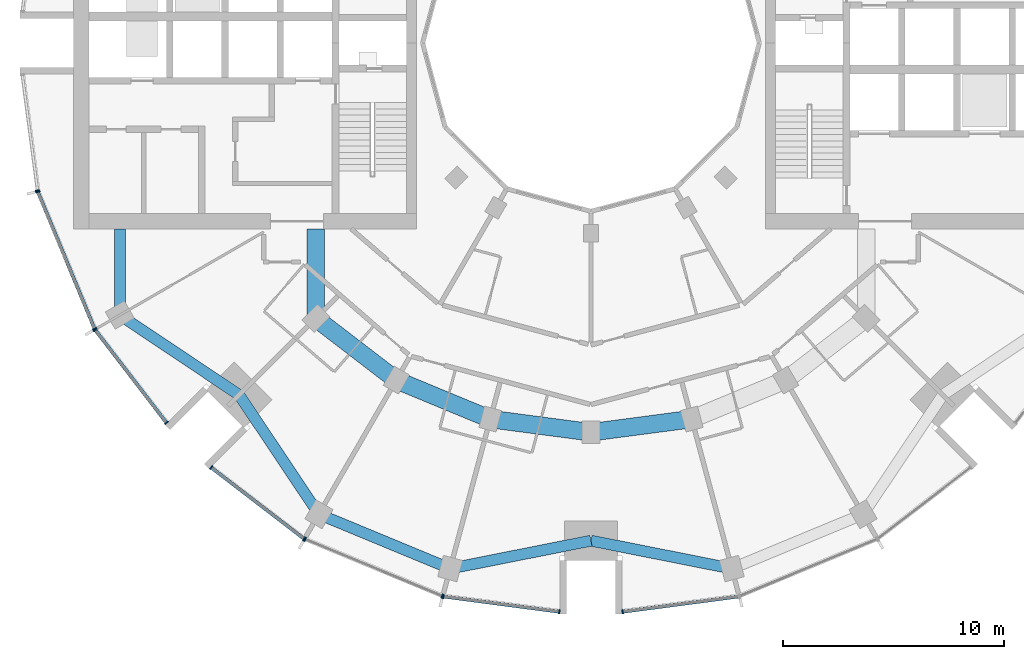
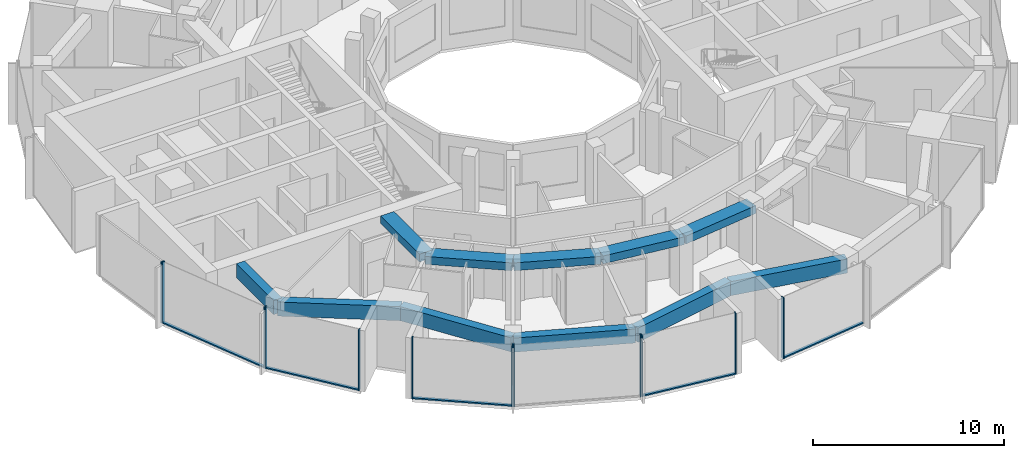
# One storey, part 2 of 15: 17 members, 11 beams, 7 elements without a shape of their own.
"""IFC4 building model written with IfcOpenShell, lengths in metres."""

import ifcopenshell
import ifcopenshell.guid

model = None  # the IFC model being written
_history = None  # IfcOwnerHistory: only IFC2X3 demands one
_inside = {}  # id of a spatial element -> (the spatial element, [elements in it])
_under = {}  # id of a project, library or spatial element -> (it, [spatial elements below it])
_declared = {}  # id of a project -> (the project, [libraries it declares])
_typed = {}  # id of a type object -> (the type object, [elements of that type])
_made_of = {}  # id of a material, layer set ... -> (it, [elements and type objects made of it])


def new_model(schema):
    """Start an empty IFC model of exactly this schema.

    Asked for "IFC4X3", IfcOpenShell would pick the latest addendum, in which some entities
    have other attributes; the version numbers below select the first issue.
    IFC2X3 requires an IfcOwnerHistory on every rooted entity: one is made here for all.
    """
    global model, _history
    if schema == "IFC4X3":
        model = ifcopenshell.file(schema_version=(4, 3, 0, 0))
    else:
        model = ifcopenshell.file(schema=schema)
    _inside.clear()
    _under.clear()
    _declared.clear()
    _typed.clear()
    _made_of.clear()
    _history = None
    if model.schema == "IFC2X3":
        org = make("IfcOrganization", Name="unknown")
        user = make(
            "IfcPersonAndOrganization",
            ThePerson=make("IfcPerson", FamilyName="unknown"),
            TheOrganization=org,
        )
        app = make(
            "IfcApplication",
            ApplicationDeveloper=org,
            Version="unknown",
            ApplicationFullName="unknown",
            ApplicationIdentifier="unknown",
        )
        _history = make(
            "IfcOwnerHistory",
            OwningUser=user,
            OwningApplication=app,
            ChangeAction="ADDED",
            CreationDate=0,
        )
    return model


def make(cls, **values):
    """One entity of the class cls with the attributes given. An attribute that is None is left unset."""
    return model.create_entity(
        cls, **{name: value for name, value in values.items() if value is not None}
    )


def rooted(cls, **values):
    """An entity with a GlobalId (a new one), such as an element, a storey or a relation."""
    return make(cls, GlobalId=ifcopenshell.guid.new(), OwnerHistory=_history, **values)


def si_unit(unit_type, name, prefix=None):
    """IfcSIUnit, for example si_unit("LENGTHUNIT", "METRE", prefix="MILLI")."""
    return make("IfcSIUnit", UnitType=unit_type, Prefix=prefix, Name=name)


def assignment(units):
    """IfcUnitAssignment: the units of a project."""
    return None if units is None else make("IfcUnitAssignment", Units=units)


def point(xyz):
    """IfcCartesianPoint."""
    return None if xyz is None else make("IfcCartesianPoint", Coordinates=xyz)


def direction(xyz):
    """IfcDirection."""
    return None if xyz is None else make("IfcDirection", DirectionRatios=xyz)


def frame(location, z_axis=None, x_axis=None):
    """IfcAxis2Placement3D, a coordinate frame: its origin and axes. An axis left out is left unset."""
    return make(
        "IfcAxis2Placement3D",
        Location=point(location),
        Axis=direction(z_axis),
        RefDirection=direction(x_axis),
    )


def frame_2d(location, x_axis=None):
    """IfcAxis2Placement2D, a coordinate frame in the plane: its origin and x axis."""
    return make(
        "IfcAxis2Placement2D", Location=point(location), RefDirection=direction(x_axis)
    )


def origin():
    """The frame at (0, 0, 0) with its axes left unset."""
    return frame((0.0, 0.0, 0.0))


def origin_2d():
    """The frame at (0, 0) in the plane with its x axis left unset."""
    return frame_2d((0.0, 0.0))


def place(relative_to, where):
    """IfcLocalPlacement: puts the frame where relative to a parent placement (None: the world)."""
    return make(
        "IfcLocalPlacement", PlacementRelTo=relative_to, RelativePlacement=where
    )


def context(
    kind, dimensions, precision=None, world=None, true_north=None, identifier=None
):
    """IfcGeometricRepresentationContext, for example the 3D "Model" context."""
    return make(
        "IfcGeometricRepresentationContext",
        ContextIdentifier=identifier,
        ContextType=kind,
        CoordinateSpaceDimension=dimensions,
        Precision=precision,
        WorldCoordinateSystem=world,
        TrueNorth=true_north,
    )


def subcontext(parent, identifier, kind, view, scale=None):
    """IfcGeometricRepresentationSubContext, for example "Body" below "Model"."""
    return make(
        "IfcGeometricRepresentationSubContext",
        ContextIdentifier=identifier,
        ContextType=kind,
        ParentContext=parent,
        TargetScale=scale,
        TargetView=view,
    )


def project(units=None, contexts=None):
    """IfcProject with its units and contexts."""
    return rooted(
        "IfcProject",
        Name="project",
        RepresentationContexts=contexts,
        UnitsInContext=assignment(units),
    )


def spatial(cls, under=None, at=None, **own):
    """A site, building, storey or space (cls), placed at a placement, below another one or the project."""
    s = rooted(cls, ObjectPlacement=at, **own)
    if under is not None:
        _under.setdefault(under.id(), (under, []))[1].append(s)
    return s


def profile(cls, at=None, kind="AREA", **sizes):
    """A parametric profile (cls). Its sizes go by their IFC names, for example OverallWidth=200.0."""
    return make(cls, ProfileType=kind, Position=at, **sizes)


def rectangle(**sizes):
    """IfcRectangleProfileDef."""
    return profile("IfcRectangleProfileDef", **sizes)


def extrude(swept, where, along, depth):
    """IfcExtrudedAreaSolid: the profile swept, set in the frame where, extruded along a direction by depth."""
    return make(
        "IfcExtrudedAreaSolid",
        SweptArea=swept,
        Position=where,
        ExtrudedDirection=direction(along),
        Depth=depth,
    )


def shape(context_of_items, identifier, shape_type, items):
    """IfcShapeRepresentation: the items that make up one representation, for example the "Body"."""
    return make(
        "IfcShapeRepresentation",
        ContextOfItems=context_of_items,
        RepresentationIdentifier=identifier,
        RepresentationType=shape_type,
        Items=items,
    )


def material(Name=None, Category=None):
    """IfcMaterial."""
    return make("IfcMaterial", Name=Name, Category=Category)


def layer(
    of_material, thickness, ventilated=None, Name=None, Category=None, Priority=None
):
    """IfcMaterialLayer: one layer of a wall or slab, of a material (None: an air gap)."""
    return make(
        "IfcMaterialLayer",
        Material=of_material,
        LayerThickness=thickness,
        IsVentilated=ventilated,
        Name=Name,
        Category=Category,
        Priority=Priority,
    )


def layer_set(layers, Name=None):
    """IfcMaterialLayerSet."""
    return make("IfcMaterialLayerSet", MaterialLayers=layers, LayerSetName=Name)


def material_profile(
    of_material, cross_section, Name=None, Category=None, Priority=None
):
    """IfcMaterialProfile: a cross section and its material."""
    return make(
        "IfcMaterialProfile",
        Name=Name,
        Material=of_material,
        Profile=cross_section,
        Priority=Priority,
        Category=Category,
    )


def profile_set(profiles, Name=None, composite=None):
    """IfcMaterialProfileSet."""
    return make(
        "IfcMaterialProfileSet",
        Name=Name,
        MaterialProfiles=profiles,
        CompositeProfile=composite,
    )


def made_of(thing, what):
    """Note that an element or type object is made of a material, layer set ...; save() writes the relation."""
    if what is not None:
        _made_of.setdefault(what.id(), (what, []))[1].append(thing)
    return thing


def type_object(cls, material=None, **own):
    """A type object (cls), such as IfcWallType, which elements share."""
    return made_of(rooted(cls, **own), material)


def element(
    cls,
    number,
    at=None,
    inside=None,
    cuts=None,
    type_object=None,
    material=None,
    context=None,
    identifier="Body",
    shape_type=None,
    held_by="IfcProductDefinitionShape",
    body=None,
    shapes=None,
    **own,
):
    """One element of the class cls, such as IfcWall. Its Tag is "e" and its number.

    at: its placement. inside: the storey or other place that contains it. cuts: it is an
    opening in that element (IfcRelVoidsElement). A single representation is given by context,
    identifier, shape_type and body (its items); several are given by shapes. held_by: the class
    of the entity that holds the representations. save() writes the other relations.
    """
    e = rooted(cls, Tag="e%d" % number, ObjectPlacement=at, **own)
    if body is not None:
        shapes = [shape(context, identifier, shape_type, body)]
    if shapes is not None:
        e.Representation = make(held_by, Representations=shapes)
    if inside is not None:
        _inside.setdefault(inside.id(), (inside, []))[1].append(e)
    if cuts is not None:
        rooted(
            "IfcRelVoidsElement", RelatingBuildingElement=cuts, RelatedOpeningElement=e
        )
    if type_object is not None:
        _typed.setdefault(type_object.id(), (type_object, []))[1].append(e)
    return made_of(e, material)


def aggregate(whole, parts):
    """IfcRelAggregates: a whole, such as a stair, and the parts it consists of."""
    return rooted("IfcRelAggregates", RelatingObject=whole, RelatedObjects=parts)


def save(model, path):
    """Write the relations noted so far, then the file.

    IfcRelAggregates (storeys below a building ...), IfcRelContainedInSpatialStructure (elements
    in a storey), IfcRelDefinesByType, IfcRelAssociatesMaterial and IfcRelDeclares: one each for
    every whole, place, type object, material and project.
    """
    for whole, parts in _under.values():
        aggregate(whole, parts)
    for where, things in _inside.values():
        rooted(
            "IfcRelContainedInSpatialStructure",
            RelatedElements=things,
            RelatingStructure=where,
        )
    for kind, things in _typed.values():
        rooted("IfcRelDefinesByType", RelatedObjects=things, RelatingType=kind)
    for what, things in _made_of.values():
        rooted("IfcRelAssociatesMaterial", RelatedObjects=things, RelatingMaterial=what)
    for by, libraries in _declared.values():
        rooted("IfcRelDeclares", RelatingContext=by, RelatedDefinitions=libraries)
    model.write(path)


model = new_model("IFC4")

# Units and contexts
model_context = context("Model", 3, precision=1e-05, world=origin(), true_north=direction((0.0, 1.0)))
body_context = subcontext(model_context, "Body", "Model", "MODEL_VIEW")
ifc_project = project(units=[si_unit("LENGTHUNIT", "METRE"), si_unit("AREAUNIT", "SQUARE_METRE"), si_unit("VOLUMEUNIT", "CUBIC_METRE"), si_unit("PLANEANGLEUNIT", "RADIAN"), si_unit("MASSUNIT", "GRAM", prefix="KILO")], contexts=[model_context])

# Site, building, storey
site_placement = place(None, origin())
site = spatial("IfcSite", under=ifc_project, at=site_placement, CompositionType="ELEMENT")
building_placement = place(site_placement, origin())
building = spatial("IfcBuilding", under=site, at=building_placement, Name="Torre Brocal", CompositionType="ELEMENT")
storey_placement = place(building_placement, frame((0.0, 0.0, 118.5)))
storey = spatial("IfcBuildingStorey", under=building, at=storey_placement, Name="L27", CompositionType="ELEMENT", Elevation=118.5)

# Curtain wall, members
ifc_material_1 = material(Name="Aluminium and glass", Category="aluminium")
ifc_layer_1 = layer(ifc_material_1, 0.199951171875)
ifc_layer_set_1 = layer_set([ifc_layer_1], Name="Aluminium and glass")
curtain_wall_type_1 = type_object("IfcCurtainWallType", Name="CW-1 CURTAIN WALL 3900 HIGH", PredefinedType="NOTDEFINED", material=ifc_layer_set_1)
curtain_wall_1_placement = place(storey_placement, origin())
curtain_wall_1 = element("IfcCurtainWall", 1, at=curtain_wall_1_placement, inside=storey, type_object=curtain_wall_type_1, Name="CW-1 RUN 14", PredefinedType="NOTDEFINED")
ifc_material_2 = material(Name="Aluminium, dark anodised", Category="aluminium")
ifc_material_profile_1 = material_profile(ifc_material_2, rectangle(XDim=0.199951171875, YDim=0.06005859375, at=origin_2d()), Name="CW-1 MULLION 60X200")
ifc_profile_set_1 = profile_set([ifc_material_profile_1], Name="Aluminium, dark anodised")
member_type_1 = type_object("IfcMemberType", Name="CW-1 MULLION 60X200", PredefinedType="MULLION", material=ifc_profile_set_1)
member_1_placement = place(storey_placement, frame((54.994873046875, 68.26904296875, 0.0), z_axis=(0.0, 0.0, 1.0), x_axis=(0.923879532525, 0.382683432333, 0.0)))
member_1 = element("IfcMember", 2, at=member_1_placement, type_object=member_type_1, Name="CW1-3 mullion 1", PredefinedType="MULLION", context=body_context, shape_type="SweptSolid", body=[
    extrude(rectangle(XDim=0.199951171875, YDim=0.06005859375, at=origin_2d()), origin(), (0.0, 0.0, 1.0), 3.89990234375),
])
member_2_placement = place(storey_placement, frame((57.559326171875, 62.078125, 0.0), z_axis=(0.0, 0.0, 1.0), x_axis=(0.923879532525, 0.382683432333, 0.0)))
member_2 = element("IfcMember", 3, at=member_2_placement, type_object=member_type_1, Name="CW1-3 mullion 2", PredefinedType="MULLION", context=body_context, shape_type="SweptSolid", body=[
    extrude(rectangle(XDim=0.199951171875, YDim=0.06005859375, at=origin_2d()), origin(), (0.0, 0.0, 1.0), 3.89990234375),
])

curtain_wall_2_placement = place(storey_placement, origin())
curtain_wall_2 = element("IfcCurtainWall", 4, at=curtain_wall_2_placement, inside=storey, type_object=curtain_wall_type_1, Name="CW-1 RUN 15", PredefinedType="NOTDEFINED")
member_3_placement = place(storey_placement, frame((57.5888671875, 62.026611328125, 0.0), z_axis=(0.0, 0.0, 1.0), x_axis=(0.793353340259, 0.60876142905, 0.0)))
member_3 = element("IfcMember", 5, at=member_3_placement, type_object=member_type_1, Name="CW1-3 mullion 1", PredefinedType="MULLION", context=body_context, shape_type="SweptSolid", body=[
    extrude(rectangle(XDim=0.199951171875, YDim=0.06005859375, at=origin_2d()), origin(), (0.0, 0.0, 1.0), 3.89990234375),
])
member_4_placement = place(storey_placement, frame((60.80859375, 57.83056640625, 0.0), z_axis=(0.0, 0.0, 1.0), x_axis=(0.793353340259, 0.60876142905, 0.0)))
member_4 = element("IfcMember", 6, at=member_4_placement, type_object=member_type_1, Name="CW1-3 mullion 2", PredefinedType="MULLION", context=body_context, shape_type="SweptSolid", body=[
    extrude(rectangle(XDim=0.199951171875, YDim=0.06005859375, at=origin_2d()), origin(), (0.0, 0.0, 1.0), 3.89990234375),
])

curtain_wall_3_placement = place(storey_placement, origin())
curtain_wall_3 = element("IfcCurtainWall", 7, at=curtain_wall_3_placement, inside=storey, type_object=curtain_wall_type_1, Name="CW-1 RUN 16", PredefinedType="NOTDEFINED")
member_5_placement = place(storey_placement, frame((62.83056640625, 55.80859375, 0.0), z_axis=(0.0, 0.0, 1.0), x_axis=(0.60876142905, 0.793353340259, 0.0)))
member_5 = element("IfcMember", 8, at=member_5_placement, type_object=member_type_1, Name="CW1-3 mullion 1", PredefinedType="MULLION", context=body_context, shape_type="SweptSolid", body=[
    extrude(rectangle(XDim=0.199951171875, YDim=0.06005859375, at=origin_2d()), origin(), (0.0, 0.0, 1.0), 3.89990234375),
])
member_6_placement = place(storey_placement, frame((67.026611328125, 52.5888671875, 0.0), z_axis=(0.0, 0.0, 1.0), x_axis=(0.60876142905, 0.793353340259, 0.0)))
member_6 = element("IfcMember", 9, at=member_6_placement, type_object=member_type_1, Name="CW1-3 mullion 2", PredefinedType="MULLION", context=body_context, shape_type="SweptSolid", body=[
    extrude(rectangle(XDim=0.199951171875, YDim=0.06005859375, at=origin_2d()), origin(), (0.0, 0.0, 1.0), 3.89990234375),
])

curtain_wall_4_placement = place(storey_placement, origin())
curtain_wall_4 = element("IfcCurtainWall", 10, at=curtain_wall_4_placement, inside=storey, type_object=curtain_wall_type_1, Name="CW-1 RUN 17", PredefinedType="NOTDEFINED")
member_7_placement = place(storey_placement, frame((67.078125, 52.559326171875, 0.0), z_axis=(0.0, 0.0, 1.0), x_axis=(0.382683432333, 0.923879532525, 0.0)))
member_7 = element("IfcMember", 11, at=member_7_placement, type_object=member_type_1, Name="CW1-3 mullion 1", PredefinedType="MULLION", context=body_context, shape_type="SweptSolid", body=[
    extrude(rectangle(XDim=0.199951171875, YDim=0.06005859375, at=origin_2d()), origin(), (0.0, 0.0, 1.0), 3.89990234375),
])
member_8_placement = place(storey_placement, frame((73.26904296875, 49.994873046875, 0.0), z_axis=(0.0, 0.0, 1.0), x_axis=(0.382683432333, 0.923879532525, 0.0)))
member_8 = element("IfcMember", 12, at=member_8_placement, type_object=member_type_1, Name="CW1-3 mullion 2", PredefinedType="MULLION", context=body_context, shape_type="SweptSolid", body=[
    extrude(rectangle(XDim=0.199951171875, YDim=0.06005859375, at=origin_2d()), origin(), (0.0, 0.0, 1.0), 3.89990234375),
])
aggregate(curtain_wall_4, [member_7, member_8])

curtain_wall_5_placement = place(storey_placement, origin())
curtain_wall_5 = element("IfcCurtainWall", 13, at=curtain_wall_5_placement, inside=storey, type_object=curtain_wall_type_1, Name="CW-1 RUN 18", PredefinedType="NOTDEFINED")
member_9_placement = place(storey_placement, frame((73.32666015625, 49.9794921875, 0.0), z_axis=(0.0, 0.0, 1.0), x_axis=(0.13052619222, 0.991444861374, 0.0)))
member_9 = element("IfcMember", 14, at=member_9_placement, type_object=member_type_1, Name="CW1-3 mullion 1", PredefinedType="MULLION", context=body_context, shape_type="SweptSolid", body=[
    extrude(rectangle(XDim=0.199951171875, YDim=0.06005859375, at=origin_2d()), origin(), (0.0, 0.0, 1.0), 3.89990234375),
])
member_10_placement = place(storey_placement, frame((78.5703125, 49.2890625, 0.0), z_axis=(0.0, 0.0, 1.0), x_axis=(0.13052619222, 0.991444861374, 0.0)))
member_10 = element("IfcMember", 15, at=member_10_placement, type_object=member_type_1, Name="CW1-3 mullion 2", PredefinedType="MULLION", context=body_context, shape_type="SweptSolid", body=[
    extrude(rectangle(XDim=0.199951171875, YDim=0.06005859375, at=origin_2d()), origin(), (0.0, 0.0, 1.0), 3.89990234375),
])

# Curtain wall, member
curtain_wall_6_placement = place(storey_placement, origin())
curtain_wall_6 = element("IfcCurtainWall", 16, at=curtain_wall_6_placement, inside=storey, type_object=curtain_wall_type_1, Name="CW-1 RUN 19", PredefinedType="NOTDEFINED")
member_11_placement = place(storey_placement, frame((81.4296875, 49.2890625, 0.0), z_axis=(0.0, 0.0, 1.0), x_axis=(-0.13052619222, 0.991444861374, 0.0)))
member_11 = element("IfcMember", 17, at=member_11_placement, type_object=member_type_1, Name="CW1-3 mullion 1", PredefinedType="MULLION", context=body_context, shape_type="SweptSolid", body=[
    extrude(rectangle(XDim=0.199951171875, YDim=0.06005859375, at=origin_2d()), origin(), (0.0, 0.0, 1.0), 3.89990234375),
])

# Member
ifc_material_3 = material(Name="Aluminium, dark anodised", Category="aluminium")
ifc_material_profile_2 = material_profile(ifc_material_3, rectangle(XDim=0.159912109375, YDim=0.080078125, at=origin_2d()), Name="CW-1 TRANSOM 160X80")
ifc_profile_set_2 = profile_set([ifc_material_profile_2], Name="Aluminium, dark anodised")
member_type_2 = type_object("IfcMemberType", Name="CW-1 TRANSOM 160X80", PredefinedType="USERDEFINED", material=ifc_profile_set_2)
member_12_placement = place(storey_placement, frame((55.00634765625, 68.241455078125, 0.0400390625), z_axis=(0.38266457234, -0.923887344364, 0.0), x_axis=(0.923887344364, 0.38266457234, 0.0)))
member_12 = element("IfcMember", 18, at=member_12_placement, type_object=member_type_2, Name="CW1-3 transom 1.1", ObjectType="TRANSOM", PredefinedType="USERDEFINED", context=body_context, shape_type="SweptSolid", body=[
    extrude(rectangle(XDim=0.159912109375, YDim=0.080078125, at=origin_2d()), origin(), (0.0, 0.0, 1.0), 6.640869140625),
])

aggregate(curtain_wall_1, [member_1, member_2, member_12])

member_13_placement = place(storey_placement, frame((57.607177734375, 62.0029296875, 0.0400390625), z_axis=(0.60874908096, -0.79336281513, 0.0), x_axis=(0.79336281513, 0.60874908096, 0.0)))
member_13 = element("IfcMember", 19, at=member_13_placement, type_object=member_type_2, Name="CW1-3 transom 1.1", ObjectType="TRANSOM", PredefinedType="USERDEFINED", context=body_context, shape_type="SweptSolid", body=[
    extrude(rectangle(XDim=0.159912109375, YDim=0.080078125, at=origin_2d()), origin(), (0.0, 0.0, 1.0), 5.22900390625),
])

aggregate(curtain_wall_2, [member_3, member_4, member_13])

member_14_placement = place(storey_placement, frame((62.8544921875, 55.790283203125, 0.0400390625), z_axis=(0.79336281513, -0.60874908096, 0.0), x_axis=(0.60874908096, 0.79336281513, 0.0)))
member_14 = element("IfcMember", 20, at=member_14_placement, type_object=member_type_2, Name="CW1-3 transom 1.1", ObjectType="TRANSOM", PredefinedType="USERDEFINED", context=body_context, shape_type="SweptSolid", body=[
    extrude(rectangle(XDim=0.159912109375, YDim=0.080078125, at=origin_2d()), origin(), (0.0, 0.0, 1.0), 5.22900390625),
])

aggregate(curtain_wall_3, [member_5, member_6, member_14])

member_15_placement = place(storey_placement, frame((73.356201171875, 49.9755859375, 0.0400390625), z_axis=(0.991442690863, -0.130542677827, 0.0), x_axis=(0.130542677827, 0.991442690863, 0.0)))
member_15 = element("IfcMember", 21, at=member_15_placement, type_object=member_type_2, Name="CW1-3 transom 1.1", ObjectType="TRANSOM", PredefinedType="USERDEFINED", context=body_context, shape_type="SweptSolid", body=[
    extrude(rectangle(XDim=0.159912109375, YDim=0.080078125, at=origin_2d()), origin(), (0.0, 0.0, 1.0), 5.22900390625),
])

aggregate(curtain_wall_5, [member_9, member_10, member_15])

member_16_placement = place(storey_placement, frame((81.45947265625, 49.29296875, 0.0400390625), z_axis=(0.991442690863, 0.130542677827, 0.0), x_axis=(-0.130542677827, 0.991442690863, 0.0)))
member_16 = element("IfcMember", 22, at=member_16_placement, type_object=member_type_2, Name="CW1-3 transom 1.1", ObjectType="TRANSOM", PredefinedType="USERDEFINED", context=body_context, shape_type="SweptSolid", body=[
    extrude(rectangle(XDim=0.159912109375, YDim=0.080078125, at=origin_2d()), origin(), (0.0, 0.0, 1.0), 5.22900390625),
])

aggregate(curtain_wall_6, [member_11, member_16])

# Curtain wall, member
ifc_material_4 = material(Name="Aluminium and glass", Category="aluminium")
ifc_layer_2 = layer(ifc_material_4, 0.199951171875)
ifc_layer_set_2 = layer_set([ifc_layer_2], Name="Aluminium and glass")
curtain_wall_type_2 = type_object("IfcCurtainWallType", Name="CW-1B CURTAIN WALL 3900 HIGH", PredefinedType="NOTDEFINED", material=ifc_layer_set_2)
curtain_wall_7_placement = place(storey_placement, origin())
curtain_wall_7 = element("IfcCurtainWall", 23, at=curtain_wall_7_placement, inside=storey, type_object=curtain_wall_type_2, Name="CW-1B RUN 13", PredefinedType="NOTDEFINED")
ifc_material_5 = material(Name="Aluminium, dark anodised", Category="aluminium")
ifc_material_profile_3 = material_profile(ifc_material_5, rectangle(XDim=0.199951171875, YDim=0.06005859375, at=origin_2d()), Name="CW-1B MULLION 60X200")
ifc_profile_set_3 = profile_set([ifc_material_profile_3], Name="Aluminium, dark anodised")
member_type_3 = type_object("IfcMemberType", Name="CW-1B MULLION 60X200", PredefinedType="MULLION", material=ifc_profile_set_3)
member_17_placement = place(storey_placement, frame((54.9794921875, 68.32666015625, 0.0), z_axis=(0.0, 0.0, 1.0), x_axis=(0.991444861374, 0.13052619222, 0.0)))
member_17 = element("IfcMember", 24, at=member_17_placement, type_object=member_type_3, Name="CW1B-3 mullion 2", PredefinedType="MULLION", context=body_context, shape_type="SweptSolid", body=[
    extrude(rectangle(XDim=0.199951171875, YDim=0.06005859375, at=origin_2d()), origin(), (0.0, 0.0, 1.0), 3.89990234375),
])
aggregate(curtain_wall_7, [member_17])

# Beams
ifc_material_6 = material(Name="Concrete C50", Category="concrete")
ifc_material_profile_4 = material_profile(ifc_material_6, rectangle(XDim=0.800048828125, YDim=0.5, at=origin_2d()), Name="RC 800X500")
ifc_profile_set_4 = profile_set([ifc_material_profile_4], Name="Concrete C50")
beam_type_1 = type_object("IfcBeamType", Name="RC BEAM 800X500 C50 TOP 3580", PredefinedType="BEAM", material=ifc_profile_set_4)
beam_1_placement = place(storey_placement, frame((67.554931640625, 62.554931640625, 3.330078125), z_axis=(0.0, 1.0, 0.0), x_axis=(-1.0, 0.0, 0.0)))
element("IfcBeam", 25, at=beam_1_placement, inside=storey, type_object=beam_type_1, Name="Beam BT-28", PredefinedType="BEAM", context=body_context, shape_type="SweptSolid", body=[
    extrude(rectangle(XDim=0.800048828125, YDim=0.5, at=origin_2d()), origin(), (0.0, 0.0, 1.0), 4.045166015625),
])
beam_2_placement = place(storey_placement, frame((67.554931640625, 62.554931640625, 3.330078125), z_axis=(0.793358265959, -0.6087550097, 0.0), x_axis=(0.6087550097, 0.793358265959, 0.0)))
element("IfcBeam", 26, at=beam_2_placement, inside=storey, type_object=beam_type_1, Name="Beam BT-28", PredefinedType="BEAM", context=body_context, shape_type="SweptSolid", body=[
    extrude(rectangle(XDim=0.800048828125, YDim=0.5, at=origin_2d()), origin(), (0.0, 0.0, 1.0), 4.594482421875),
])
beam_3_placement = place(storey_placement, frame((71.199951171875, 59.758056640625, 3.330078125), z_axis=(0.923878240166, -0.382686552348, 0.0), x_axis=(0.382686552348, 0.923878240166, 0.0)))
element("IfcBeam", 27, at=beam_3_placement, inside=storey, type_object=beam_type_1, Name="Beam BT-28", PredefinedType="BEAM", context=body_context, shape_type="SweptSolid", body=[
    extrude(rectangle(XDim=0.800048828125, YDim=0.5, at=origin_2d()), origin(), (0.0, 0.0, 1.0), 4.5947265625),
])
for number, where, z_axis, x_axis, name in (
    (28, (75.44482421875, 57.999755859375, 3.330078125), (0.991440544449, -0.130558978332, 0.0), (0.130558978332, 0.991440544449, 0.0), "Beam BT-28"),
    (29, (80.0, 57.39990234375, 3.330078125), (0.991440544449, 0.130558978332, 0.0), (-0.130558978332, 0.991440544449, 0.0), "Beam BT-28"),
):
    element("IfcBeam", number, at=place(storey_placement, frame(where, z_axis=z_axis, x_axis=x_axis)), inside=storey, type_object=beam_type_1, Name=name, PredefinedType="BEAM", context=body_context, shape_type="SweptSolid", body=[
        extrude(rectangle(XDim=0.800048828125, YDim=0.5, at=origin_2d()), origin(), (0.0, 0.0, 1.0), 4.594482421875),
    ])
ifc_material_7 = material(Name="Concrete C50", Category="concrete")
ifc_material_profile_5 = material_profile(ifc_material_7, rectangle(XDim=0.5, YDim=0.89990234375, at=origin_2d()), Name="RC 500X900")
ifc_profile_set_5 = profile_set([ifc_material_profile_5], Name="Concrete C50")
beam_type_2 = type_object("IfcBeamType", Name="RC SPANDREL BEAM 500X900 C50 TOP 3580", PredefinedType="SPANDREL", material=ifc_profile_set_5)
beam_4_placement = place(storey_placement, frame((58.69580078125, 62.699951171875, 3.1298828125), z_axis=(0.0, 1.0, 0.0), x_axis=(-1.0, 0.0, 0.0)))
element("IfcBeam", 30, at=beam_4_placement, inside=storey, type_object=beam_type_2, Name="Beam BT-29", PredefinedType="SPANDREL", context=body_context, shape_type="SweptSolid", body=[
    extrude(rectangle(XDim=0.5, YDim=0.89990234375, at=origin_2d()), origin(), (0.0, 0.0, 1.0), 3.900146484375),
])
for number, where, z_axis, x_axis, name in (
    (31, (58.69580078125, 62.699951171875, 3.1298828125), (0.831076844476, -0.556157602282, 0.0), (0.556157602282, 0.831076844476, 0.0), "Beam BT-29"),
    (32, (64.090087890625, 59.090087890625, 3.1298828125), (0.556157602282, -0.831076844476, 0.0), (0.831076844476, 0.556157602282, 0.0), "Beam BT-29"),
):
    element("IfcBeam", number, at=place(storey_placement, frame(where, z_axis=z_axis, x_axis=x_axis)), inside=storey, type_object=beam_type_2, Name=name, PredefinedType="SPANDREL", context=body_context, shape_type="SweptSolid", body=[
        extrude(rectangle(XDim=0.5, YDim=0.89990234375, at=origin_2d()), origin(), (0.0, 0.0, 1.0), 6.49072265625),
    ])
beam_5_placement = place(storey_placement, frame((67.699951171875, 53.69580078125, 3.1298828125), z_axis=(0.923882462513, -0.382676358639, 0.0), x_axis=(0.382676358639, 0.923882462513, 0.0)))
element("IfcBeam", 33, at=beam_5_placement, inside=storey, type_object=beam_type_2, Name="Beam BT-29", PredefinedType="SPANDREL", context=body_context, shape_type="SweptSolid", body=[
    extrude(rectangle(XDim=0.5, YDim=0.89990234375, at=origin_2d()), origin(), (0.0, 0.0, 1.0), 6.421875),
])
for number, where, z_axis, x_axis, name in (
    (34, (73.633056640625, 51.23828125, 3.1298828125), (0.980924907484, 0.194387051723, 0.0), (-0.194387051723, 0.980924907484, 0.0), "Beam BT-29"),
    (35, (80.0, 52.5, 3.1298828125), (0.980924907484, -0.194387051723, 0.0), (0.194387051723, 0.980924907484, 0.0), "Beam BT-29"),
):
    element("IfcBeam", number, at=place(storey_placement, frame(where, z_axis=z_axis, x_axis=x_axis)), inside=storey, type_object=beam_type_2, Name=name, PredefinedType="SPANDREL", context=body_context, shape_type="SweptSolid", body=[
        extrude(rectangle(XDim=0.5, YDim=0.89990234375, at=origin_2d()), origin(), (0.0, 0.0, 1.0), 6.49072265625),
    ])

save(model, "model.ifc")
